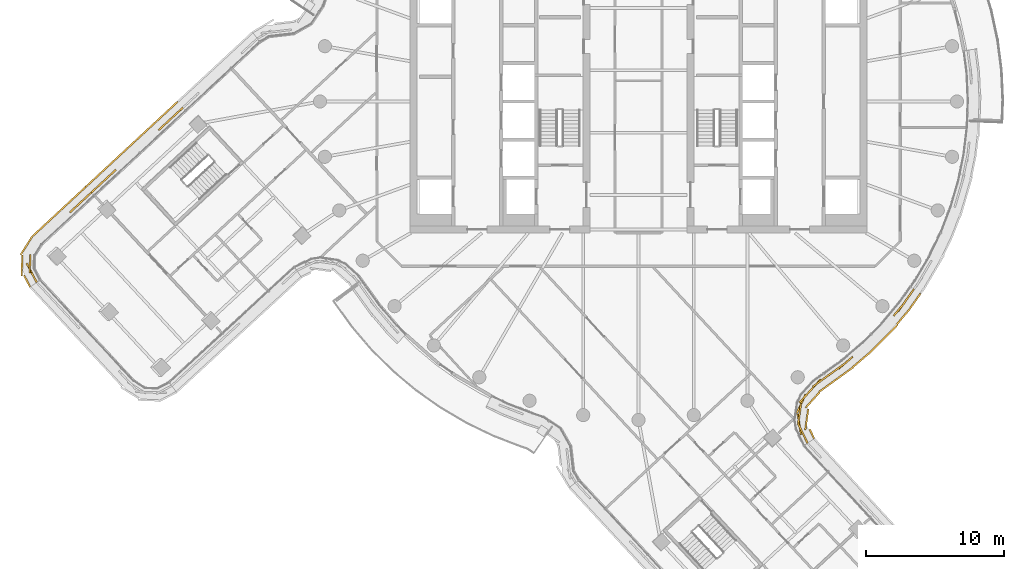
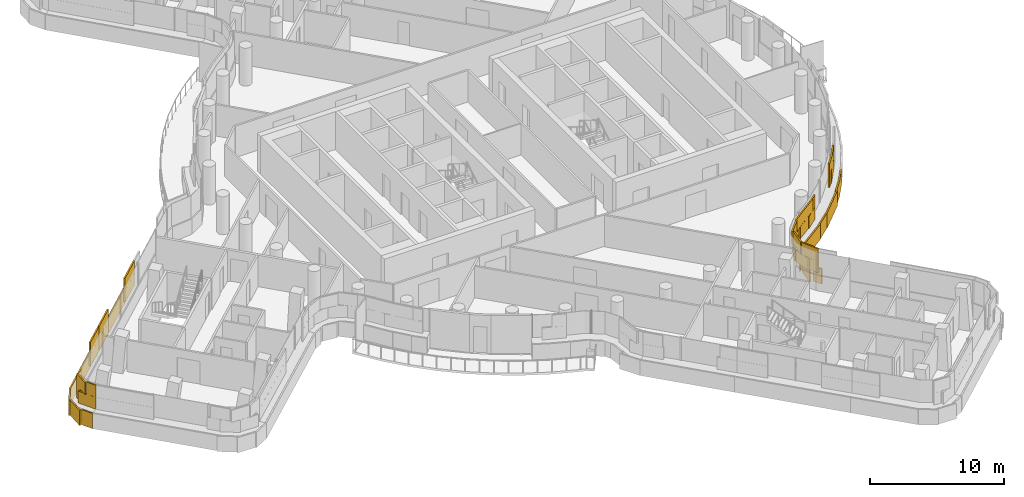
# One storey, part 29 of 34: 3 coverings.
"""IFC4 building model written with IfcOpenShell, lengths in metres."""

import ifcopenshell
import ifcopenshell.guid

model = None  # the IFC model being written
_history = None  # IfcOwnerHistory: only IFC2X3 demands one
_inside = {}  # id of a spatial element -> (the spatial element, [elements in it])
_under = {}  # id of a project, library or spatial element -> (it, [spatial elements below it])
_declared = {}  # id of a project -> (the project, [libraries it declares])
_typed = {}  # id of a type object -> (the type object, [elements of that type])
_made_of = {}  # id of a material, layer set ... -> (it, [elements and type objects made of it])


def new_model(schema):
    """Start an empty IFC model of exactly this schema.

    Asked for "IFC4X3", IfcOpenShell would pick the latest addendum, in which some entities
    have other attributes; the version numbers below select the first issue.
    IFC2X3 requires an IfcOwnerHistory on every rooted entity: one is made here for all.
    """
    global model, _history
    if schema == "IFC4X3":
        model = ifcopenshell.file(schema_version=(4, 3, 0, 0))
    else:
        model = ifcopenshell.file(schema=schema)
    _inside.clear()
    _under.clear()
    _declared.clear()
    _typed.clear()
    _made_of.clear()
    _history = None
    if model.schema == "IFC2X3":
        org = make("IfcOrganization", Name="unknown")
        user = make(
            "IfcPersonAndOrganization",
            ThePerson=make("IfcPerson", FamilyName="unknown"),
            TheOrganization=org,
        )
        app = make(
            "IfcApplication",
            ApplicationDeveloper=org,
            Version="unknown",
            ApplicationFullName="unknown",
            ApplicationIdentifier="unknown",
        )
        _history = make(
            "IfcOwnerHistory",
            OwningUser=user,
            OwningApplication=app,
            ChangeAction="ADDED",
            CreationDate=0,
        )
    return model


def make(cls, **values):
    """One entity of the class cls with the attributes given. An attribute that is None is left unset."""
    return model.create_entity(
        cls, **{name: value for name, value in values.items() if value is not None}
    )


def rooted(cls, **values):
    """An entity with a GlobalId (a new one), such as an element, a storey or a relation."""
    return make(cls, GlobalId=ifcopenshell.guid.new(), OwnerHistory=_history, **values)


def si_unit(unit_type, name, prefix=None):
    """IfcSIUnit, for example si_unit("LENGTHUNIT", "METRE", prefix="MILLI")."""
    return make("IfcSIUnit", UnitType=unit_type, Prefix=prefix, Name=name)


def assignment(units):
    """IfcUnitAssignment: the units of a project."""
    return None if units is None else make("IfcUnitAssignment", Units=units)


def point(xyz):
    """IfcCartesianPoint."""
    return None if xyz is None else make("IfcCartesianPoint", Coordinates=xyz)


def direction(xyz):
    """IfcDirection."""
    return None if xyz is None else make("IfcDirection", DirectionRatios=xyz)


def frame(location, z_axis=None, x_axis=None):
    """IfcAxis2Placement3D, a coordinate frame: its origin and axes. An axis left out is left unset."""
    return make(
        "IfcAxis2Placement3D",
        Location=point(location),
        Axis=direction(z_axis),
        RefDirection=direction(x_axis),
    )


def frame_2d(location, x_axis=None):
    """IfcAxis2Placement2D, a coordinate frame in the plane: its origin and x axis."""
    return make(
        "IfcAxis2Placement2D", Location=point(location), RefDirection=direction(x_axis)
    )


def origin():
    """The frame at (0, 0, 0) with its axes left unset."""
    return frame((0.0, 0.0, 0.0))


def origin_2d():
    """The frame at (0, 0) in the plane with its x axis left unset."""
    return frame_2d((0.0, 0.0))


def place(relative_to, where):
    """IfcLocalPlacement: puts the frame where relative to a parent placement (None: the world)."""
    return make(
        "IfcLocalPlacement", PlacementRelTo=relative_to, RelativePlacement=where
    )


def context(
    kind, dimensions, precision=None, world=None, true_north=None, identifier=None
):
    """IfcGeometricRepresentationContext, for example the 3D "Model" context."""
    return make(
        "IfcGeometricRepresentationContext",
        ContextIdentifier=identifier,
        ContextType=kind,
        CoordinateSpaceDimension=dimensions,
        Precision=precision,
        WorldCoordinateSystem=world,
        TrueNorth=true_north,
    )


def subcontext(parent, identifier, kind, view, scale=None):
    """IfcGeometricRepresentationSubContext, for example "Body" below "Model"."""
    return make(
        "IfcGeometricRepresentationSubContext",
        ContextIdentifier=identifier,
        ContextType=kind,
        ParentContext=parent,
        TargetScale=scale,
        TargetView=view,
    )


def project(units=None, contexts=None):
    """IfcProject with its units and contexts."""
    return rooted(
        "IfcProject",
        Name="project",
        RepresentationContexts=contexts,
        UnitsInContext=assignment(units),
    )


def spatial(cls, under=None, at=None, **own):
    """A site, building, storey or space (cls), placed at a placement, below another one or the project."""
    s = rooted(cls, ObjectPlacement=at, **own)
    if under is not None:
        _under.setdefault(under.id(), (under, []))[1].append(s)
    return s


def profile(cls, at=None, kind="AREA", **sizes):
    """A parametric profile (cls). Its sizes go by their IFC names, for example OverallWidth=200.0."""
    return make(cls, ProfileType=kind, Position=at, **sizes)


def rectangle(**sizes):
    """IfcRectangleProfileDef."""
    return profile("IfcRectangleProfileDef", **sizes)


def extrude(swept, where, along, depth):
    """IfcExtrudedAreaSolid: the profile swept, set in the frame where, extruded along a direction by depth."""
    return make(
        "IfcExtrudedAreaSolid",
        SweptArea=swept,
        Position=where,
        ExtrudedDirection=direction(along),
        Depth=depth,
    )


def shape(context_of_items, identifier, shape_type, items):
    """IfcShapeRepresentation: the items that make up one representation, for example the "Body"."""
    return make(
        "IfcShapeRepresentation",
        ContextOfItems=context_of_items,
        RepresentationIdentifier=identifier,
        RepresentationType=shape_type,
        Items=items,
    )


def material(Name=None, Category=None):
    """IfcMaterial."""
    return make("IfcMaterial", Name=Name, Category=Category)


def layer(
    of_material, thickness, ventilated=None, Name=None, Category=None, Priority=None
):
    """IfcMaterialLayer: one layer of a wall or slab, of a material (None: an air gap)."""
    return make(
        "IfcMaterialLayer",
        Material=of_material,
        LayerThickness=thickness,
        IsVentilated=ventilated,
        Name=Name,
        Category=Category,
        Priority=Priority,
    )


def layer_set(layers, Name=None):
    """IfcMaterialLayerSet."""
    return make("IfcMaterialLayerSet", MaterialLayers=layers, LayerSetName=Name)


def made_of(thing, what):
    """Note that an element or type object is made of a material, layer set ...; save() writes the relation."""
    if what is not None:
        _made_of.setdefault(what.id(), (what, []))[1].append(thing)
    return thing


def type_object(cls, material=None, **own):
    """A type object (cls), such as IfcWallType, which elements share."""
    return made_of(rooted(cls, **own), material)


def element(
    cls,
    number,
    at=None,
    inside=None,
    cuts=None,
    type_object=None,
    material=None,
    context=None,
    identifier="Body",
    shape_type=None,
    held_by="IfcProductDefinitionShape",
    body=None,
    shapes=None,
    **own,
):
    """One element of the class cls, such as IfcWall. Its Tag is "e" and its number.

    at: its placement. inside: the storey or other place that contains it. cuts: it is an
    opening in that element (IfcRelVoidsElement). A single representation is given by context,
    identifier, shape_type and body (its items); several are given by shapes. held_by: the class
    of the entity that holds the representations. save() writes the other relations.
    """
    e = rooted(cls, Tag="e%d" % number, ObjectPlacement=at, **own)
    if body is not None:
        shapes = [shape(context, identifier, shape_type, body)]
    if shapes is not None:
        e.Representation = make(held_by, Representations=shapes)
    if inside is not None:
        _inside.setdefault(inside.id(), (inside, []))[1].append(e)
    if cuts is not None:
        rooted(
            "IfcRelVoidsElement", RelatingBuildingElement=cuts, RelatedOpeningElement=e
        )
    if type_object is not None:
        _typed.setdefault(type_object.id(), (type_object, []))[1].append(e)
    return made_of(e, material)


def aggregate(whole, parts):
    """IfcRelAggregates: a whole, such as a stair, and the parts it consists of."""
    return rooted("IfcRelAggregates", RelatingObject=whole, RelatedObjects=parts)


def save(model, path):
    """Write the relations noted so far, then the file.

    IfcRelAggregates (storeys below a building ...), IfcRelContainedInSpatialStructure (elements
    in a storey), IfcRelDefinesByType, IfcRelAssociatesMaterial and IfcRelDeclares: one each for
    every whole, place, type object, material and project.
    """
    for whole, parts in _under.values():
        aggregate(whole, parts)
    for where, things in _inside.values():
        rooted(
            "IfcRelContainedInSpatialStructure",
            RelatedElements=things,
            RelatingStructure=where,
        )
    for kind, things in _typed.values():
        rooted("IfcRelDefinesByType", RelatedObjects=things, RelatingType=kind)
    for what, things in _made_of.values():
        rooted("IfcRelAssociatesMaterial", RelatedObjects=things, RelatingMaterial=what)
    for by, libraries in _declared.values():
        rooted("IfcRelDeclares", RelatingContext=by, RelatedDefinitions=libraries)
    model.write(path)


model = new_model("IFC4")

# Units and contexts
model_context = context("Model", 3, precision=1e-05, world=origin(), true_north=direction((0.0, 1.0)))
body_context = subcontext(model_context, "Body", "Model", "MODEL_VIEW")
ifc_project = project(units=[si_unit("LENGTHUNIT", "METRE"), si_unit("AREAUNIT", "SQUARE_METRE"), si_unit("VOLUMEUNIT", "CUBIC_METRE"), si_unit("PLANEANGLEUNIT", "RADIAN"), si_unit("MASSUNIT", "GRAM", prefix="KILO")], contexts=[model_context])

# Site, building, storey
site_placement = place(None, origin())
site = spatial("IfcSite", under=ifc_project, at=site_placement, CompositionType="ELEMENT")
building_placement = place(site_placement, origin())
building = spatial("IfcBuilding", under=site, at=building_placement, Name="Tamarind Cross Interchange Tower", CompositionType="ELEMENT")
storey_placement = place(building_placement, frame((0.0, 0.0, 189.699951171875)))
storey = spatial("IfcBuildingStorey", under=building, at=storey_placement, Name="L47", CompositionType="ELEMENT", Elevation=189.699951171875)

# Coverings
ifc_material = material(Name="Terracotta", Category="masonry")
ifc_layer = layer(ifc_material, 0.1201171875)
ifc_layer_set = layer_set([ifc_layer], Name="Terracotta")
covering_type = type_object("IfcCoveringType", Name="Terracotta baguette screen unit", PredefinedType="MOLDING", material=ifc_layer_set)
covering_1_placement = place(storey_placement, origin())
element("IfcCovering", 1, at=covering_1_placement, inside=storey, type_object=covering_type, Name="SCR-L47-02-00", PredefinedType="MOLDING", context=body_context, shape_type="SweptSolid", body=[
    extrude(rectangle(XDim=0.760009765625, YDim=0.1201171875, at=origin_2d()), frame((12.048828125, -24.341796875, 1.40380859375), z_axis=(0.0, 0.0, 1.0), x_axis=(-0.435685357845, 0.900099032862, 0.0)), (0.0, 0.0, 1.0), 1.092041015625),
    extrude(rectangle(XDim=1.52001953125, YDim=0.1201171875, at=origin_2d()), frame((11.62060546875, -23.309814453125, 1.40380859375), z_axis=(0.0, 0.0, 1.0), x_axis=(-0.15334845422, 0.988172177097, 0.0)), (0.0, 0.0, 1.0), 1.092041015625),
    extrude(rectangle(XDim=1.52001953125, YDim=0.1201171875, at=origin_2d()), frame((11.75048828125, -21.829345703125, 1.40380859375), z_axis=(0.0, 0.0, 1.0), x_axis=(0.425696394519, 0.904866056217, 0.0)), (0.0, 0.0, 1.0), 1.092041015625),
    extrude(rectangle(XDim=1.52001953125, YDim=0.1201171875, at=origin_2d()), frame((12.635009765625, -20.635986328125, 1.40380859375), z_axis=(0.0, 0.0, 1.0), x_axis=(0.671754704283, 0.740773661298, 0.0)), (0.0, 0.0, 1.0), 1.092041015625),
    extrude(rectangle(XDim=1.52001953125, YDim=0.1201171875, at=origin_2d()), frame((13.809814453125, -19.71142578125, 1.40380859375), z_axis=(0.0, 0.0, 1.0), x_axis=(0.811340475102, 0.584573890505, 0.0)), (0.0, 0.0, 1.0), 1.092041015625),
    extrude(rectangle(XDim=1.353271484375, YDim=0.1201171875, at=origin_2d()), frame((14.957763671875, -18.873291015625, 1.40380859375), z_axis=(0.0, 0.0, 1.0), x_axis=(0.760295606781, 0.64957723968, 0.0)), (0.0, 0.0, 1.0), 1.092041015625),
    extrude(rectangle(XDim=0.466796875, YDim=0.1201171875, at=origin_2d()), frame((18.579345703125, -15.29736328125, 1.40380859375), z_axis=(0.0, 0.0, 1.0), x_axis=(0.643009266048, 0.765858396687, 0.0)), (0.0, 0.0, 1.0), 1.092041015625),
    extrude(rectangle(XDim=1.52001953125, YDim=0.1201171875, at=origin_2d()), frame((19.194580078125, -14.537109375, 1.40380859375), z_axis=(0.0, 0.0, 1.0), x_axis=(0.577568978284, 0.816341886298, 0.0)), (0.0, 0.0, 1.0), 1.092041015625),
    extrude(rectangle(XDim=0.473388671875, YDim=0.1201171875, at=origin_2d()), frame((19.761474609375, -13.73583984375, 1.40380859375), z_axis=(0.0, 0.0, 1.0), x_axis=(0.577568978284, 0.816341886298, 0.0)), (0.0, 0.0, 1.0), 1.092041015625),
    extrude(rectangle(XDim=1.510009765625, YDim=0.1201171875, at=origin_2d()), frame((11.885498046875, -24.004150390625, 2.50390625), z_axis=(0.0, 0.0, 1.0), x_axis=(-0.435685357845, 0.900099032862, 0.0)), (0.0, 0.0, 1.0), 1.092041015625),
    extrude(rectangle(XDim=1.52001953125, YDim=0.1201171875, at=origin_2d()), frame((11.631103515625, -22.56787109375, 2.50390625), z_axis=(0.0, 0.0, 1.0), x_axis=(0.14240199293, 0.989808907017, 0.0)), (0.0, 0.0, 1.0), 1.092041015625),
    extrude(rectangle(XDim=1.52001953125, YDim=0.1201171875, at=origin_2d()), frame((12.131103515625, -21.191650390625, 2.50390625), z_axis=(0.0, 0.0, 1.0), x_axis=(0.671754704283, 0.740773661298, 0.0)), (0.0, 0.0, 1.0), 1.092041015625),
    extrude(rectangle(XDim=1.52001953125, YDim=0.1201171875, at=origin_2d()), frame((13.20166015625, -20.150146484375, 2.50390625), z_axis=(0.0, 0.0, 1.0), x_axis=(0.806902715209, 0.590684355801, 0.0)), (0.0, 0.0, 1.0), 1.092041015625),
    extrude(rectangle(XDim=1.52001953125, YDim=0.1201171875, at=origin_2d()), frame((14.418212890625, -19.27294921875, 2.50390625), z_axis=(0.0, 0.0, 1.0), x_axis=(0.811340475102, 0.584573890505, 0.0)), (0.0, 0.0, 1.0), 1.092041015625),
    extrude(rectangle(XDim=0.603271484375, YDim=0.1201171875, at=origin_2d()), frame((15.242919921875, -18.629638671875, 2.50390625), z_axis=(0.0, 0.0, 1.0), x_axis=(0.760295606781, 0.64957723968, 0.0)), (0.0, 0.0, 1.0), 1.092041015625),
    extrude(rectangle(XDim=1.216796875, YDim=0.1201171875, at=origin_2d()), frame((18.820556640625, -15.010009765625, 2.50390625), z_axis=(0.0, 0.0, 1.0), x_axis=(0.643009266048, 0.765858396687, 0.0)), (0.0, 0.0, 1.0), 1.092041015625),
    extrude(rectangle(XDim=1.223388671875, YDim=0.1201171875, at=origin_2d()), frame((19.544921875, -14.0419921875, 2.50390625), z_axis=(0.0, 0.0, 1.0), x_axis=(0.577568978284, 0.816341886298, 0.0)), (0.0, 0.0, 1.0), 1.092041015625),
    extrude(rectangle(XDim=0.760009765625, YDim=0.1201171875, at=origin_2d()), frame((12.5263671875, -24.0107421875, 0.00390625), z_axis=(0.0, 0.0, 1.0), x_axis=(-0.435685357845, 0.900099032862, 0.0)), (0.0, 0.0, 1.0), 1.39208984375),
    extrude(rectangle(XDim=1.52001953125, YDim=0.1201171875, at=origin_2d()), frame((12.153564453125, -22.96826171875, 0.00390625), z_axis=(0.0, 0.0, 1.0), x_axis=(0.14240199293, 0.989808907017, 0.0)), (0.0, 0.0, 1.0), 1.39208984375),
    extrude(rectangle(XDim=1.52001953125, YDim=0.1201171875, at=origin_2d()), frame((12.57080078125, -21.5615234375, 0.00390625), z_axis=(0.0, 0.0, 1.0), x_axis=(0.671754704283, 0.740773661298, 0.0)), (0.0, 0.0, 1.0), 1.39208984375),
    extrude(rectangle(XDim=1.52001953125, YDim=0.1201171875, at=origin_2d()), frame((13.65234375, -20.5322265625, 0.00390625), z_axis=(0.0, 0.0, 1.0), x_axis=(0.811340475102, 0.584573890505, 0.0)), (0.0, 0.0, 1.0), 1.39208984375),
    extrude(rectangle(XDim=1.52001953125, YDim=0.1201171875, at=origin_2d()), frame((14.869140625, -19.655517578125, 0.00390625), z_axis=(0.0, 0.0, 1.0), x_axis=(0.811340475102, 0.584573890505, 0.0)), (0.0, 0.0, 1.0), 1.39208984375),
    extrude(rectangle(XDim=1.52001953125, YDim=0.1201171875, at=origin_2d()), frame((16.032470703125, -18.7099609375, 0.00390625), z_axis=(0.0, 0.0, 1.0), x_axis=(0.760295606781, 0.64957723968, 0.0)), (0.0, 0.0, 1.0), 1.39208984375),
    extrude(rectangle(XDim=1.52001953125, YDim=0.1201171875, at=origin_2d()), frame((17.143798828125, -17.704345703125, 0.00390625), z_axis=(0.0, 0.0, 1.0), x_axis=(0.704057148523, 0.710143317658, 0.0)), (0.0, 0.0, 1.0), 1.39208984375),
    extrude(rectangle(XDim=1.52001953125, YDim=0.1201171875, at=origin_2d()), frame((18.199951171875, -16.63916015625, 0.00390625), z_axis=(0.0, 0.0, 1.0), x_axis=(0.704057148523, 0.710143317658, 0.0)), (0.0, 0.0, 1.0), 1.39208984375),
    extrude(rectangle(XDim=1.52001953125, YDim=0.1201171875, at=origin_2d()), frame((19.165771484375, -15.49169921875, 0.00390625), z_axis=(0.0, 0.0, 1.0), x_axis=(0.643009266048, 0.765858396687, 0.0)), (0.0, 0.0, 1.0), 1.39208984375),
    extrude(rectangle(XDim=1.28125, YDim=0.1201171875, at=origin_2d()), frame((19.999755859375, -14.392822265625, 0.00390625), z_axis=(0.0, 0.0, 1.0), x_axis=(0.577568978284, 0.816341886298, 0.0)), (0.0, 0.0, 1.0), 1.39208984375),
])
covering_2_placement = place(storey_placement, origin())
element("IfcCovering", 2, at=covering_2_placement, inside=storey, type_object=covering_type, Name="SCR-L47-07-01", PredefinedType="MOLDING", context=body_context, shape_type="SweptSolid", body=[
    extrude(rectangle(XDim=0.9267578125, YDim=0.1201171875, at=origin_2d()), frame((-33.2412109375, -0.75439453125, 1.40380859375), z_axis=(0.0, 0.0, 1.0), x_axis=(-0.73329332084, -0.679912424958, 0.0)), (0.0, 0.0, 1.0), 1.092041015625),
    extrude(rectangle(XDim=1.497802734375, YDim=0.1201171875, at=origin_2d()), frame((-34.122802734375, -1.57177734375, 1.40380859375), z_axis=(0.0, 0.0, 1.0), x_axis=(-0.73329332084, -0.679912424958, 0.0)), (0.0, 0.0, 1.0), 1.092041015625),
    extrude(rectangle(XDim=0.322265625, YDim=0.1201171875, at=origin_2d()), frame((-37.86279296875, -5.039306640625, 1.40380859375), z_axis=(0.0, 0.0, 1.0), x_axis=(-0.73329332084, -0.679912424958, 0.0)), (0.0, 0.0, 1.0), 1.092041015625),
    extrude(rectangle(XDim=1.52001953125, YDim=0.1201171875, at=origin_2d()), frame((-38.527099609375, -5.6552734375, 1.40380859375), z_axis=(0.0, 0.0, 1.0), x_axis=(-0.73329332084, -0.679912424958, 0.0)), (0.0, 0.0, 1.0), 1.092041015625),
    extrude(rectangle(XDim=0.602294921875, YDim=0.1201171875, at=origin_2d()), frame((-39.294189453125, -6.36669921875, 1.40380859375), z_axis=(0.0, 0.0, 1.0), x_axis=(-0.73329332084, -0.679912424958, 0.0)), (0.0, 0.0, 1.0), 1.092041015625),
    extrude(rectangle(XDim=0.1767578125, YDim=0.1201171875, at=origin_2d()), frame((-32.96630859375, -0.499267578125, 2.50390625), z_axis=(0.0, 0.0, 1.0), x_axis=(-0.73329332084, -0.679912424958, 0.0)), (0.0, 0.0, 1.0), 1.092041015625),
    extrude(rectangle(XDim=1.52001953125, YDim=0.1201171875, at=origin_2d()), frame((-33.577392578125, -1.06591796875, 2.50390625), z_axis=(0.0, 0.0, 1.0), x_axis=(-0.73329332084, -0.679912424958, 0.0)), (0.0, 0.0, 1.0), 1.092041015625),
    extrude(rectangle(XDim=0.747802734375, YDim=0.1201171875, at=origin_2d()), frame((-34.39794921875, -1.82666015625, 2.50390625), z_axis=(0.0, 0.0, 1.0), x_axis=(-0.73329332084, -0.679912424958, 0.0)), (0.0, 0.0, 1.0), 1.092041015625),
    extrude(rectangle(XDim=1.072265625, YDim=0.1201171875, at=origin_2d()), frame((-38.1376953125, -5.294189453125, 2.50390625), z_axis=(0.0, 0.0, 1.0), x_axis=(-0.73329332084, -0.679912424958, 0.0)), (0.0, 0.0, 1.0), 1.092041015625),
    extrude(rectangle(XDim=1.352294921875, YDim=0.1201171875, at=origin_2d()), frame((-39.019287109375, -6.111572265625, 2.50390625), z_axis=(0.0, 0.0, 1.0), x_axis=(-0.73329332084, -0.679912424958, 0.0)), (0.0, 0.0, 1.0), 1.092041015625),
    extrude(rectangle(XDim=0.88037109375, YDim=0.1201171875, at=origin_2d()), frame((-33.607421875, -0.31103515625, 0.00390625), z_axis=(0.0, 0.0, 1.0), x_axis=(-0.73329332084, -0.679912424958, 0.0)), (0.0, 0.0, 1.0), 1.39208984375),
    extrude(rectangle(XDim=1.52001953125, YDim=0.1201171875, at=origin_2d()), frame((-34.472900390625, -1.113525390625, 0.00390625), z_axis=(0.0, 0.0, 1.0), x_axis=(-0.73329332084, -0.679912424958, 0.0)), (0.0, 0.0, 1.0), 1.39208984375),
    extrude(rectangle(XDim=1.52001953125, YDim=0.1201171875, at=origin_2d()), frame((-35.57275390625, -2.13330078125, 0.00390625), z_axis=(0.0, 0.0, 1.0), x_axis=(-0.73329332084, -0.679912424958, 0.0)), (0.0, 0.0, 1.0), 1.39208984375),
    extrude(rectangle(XDim=1.52001953125, YDim=0.1201171875, at=origin_2d()), frame((-36.6728515625, -3.153076171875, 0.00390625), z_axis=(0.0, 0.0, 1.0), x_axis=(-0.73329332084, -0.679912424958, 0.0)), (0.0, 0.0, 1.0), 1.39208984375),
    extrude(rectangle(XDim=1.52001953125, YDim=0.1201171875, at=origin_2d()), frame((-37.772705078125, -4.173095703125, 0.00390625), z_axis=(0.0, 0.0, 1.0), x_axis=(-0.73329332084, -0.679912424958, 0.0)), (0.0, 0.0, 1.0), 1.39208984375),
    extrude(rectangle(XDim=1.52001953125, YDim=0.1201171875, at=origin_2d()), frame((-38.87255859375, -5.19287109375, 0.00390625), z_axis=(0.0, 0.0, 1.0), x_axis=(-0.73329332084, -0.679912424958, 0.0)), (0.0, 0.0, 1.0), 1.39208984375),
    extrude(rectangle(XDim=0.705810546875, YDim=0.1201171875, at=origin_2d()), frame((-39.674072265625, -5.93603515625, 0.00390625), z_axis=(0.0, 0.0, 1.0), x_axis=(-0.73329332084, -0.679912424958, 0.0)), (0.0, 0.0, 1.0), 1.39208984375),
])
covering_3_placement = place(storey_placement, origin())
element("IfcCovering", 3, at=covering_3_placement, inside=storey, type_object=covering_type, Name="SCR-L47-07-02", PredefinedType="MOLDING", context=body_context, shape_type="SweptSolid", body=[
    extrude(rectangle(XDim=0.917724609375, YDim=0.1201171875, at=origin_2d()), frame((-39.84423828125, -6.87646484375, 1.40380859375), z_axis=(0.0, 0.0, 1.0), x_axis=(-0.73329332084, -0.679912424958, 0.0)), (0.0, 0.0, 1.0), 1.092041015625),
    extrude(rectangle(XDim=1.2333984375, YDim=0.1201171875, at=origin_2d()), frame((-40.62548828125, -7.60107421875, 1.40380859375), z_axis=(0.0, 0.0, 1.0), x_axis=(-0.73329332084, -0.679912424958, 0.0)), (0.0, 0.0, 1.0), 1.092041015625),
    extrude(rectangle(XDim=0.586669921875, YDim=0.1201171875, at=origin_2d()), frame((-43.93310546875, -11.3466796875, 1.40380859375), z_axis=(0.0, 0.0, 1.0), x_axis=(-0.037745993464, -0.999287366065, 0.0)), (0.0, 0.0, 1.0), 1.092041015625),
    extrude(rectangle(XDim=1.52001953125, YDim=0.1201171875, at=origin_2d()), frame((-43.837646484375, -12.353515625, 1.40380859375), z_axis=(0.0, 0.0, 1.0), x_axis=(0.466954693802, -0.884281241425, 0.0)), (0.0, 0.0, 1.0), 1.092041015625),
    extrude(rectangle(XDim=0.064453125, YDim=0.1201171875, at=origin_2d()), frame((-43.474609375, -13.040771484375, 1.40380859375), z_axis=(0.0, 0.0, 1.0), x_axis=(0.466954693802, -0.884281241425, 0.0)), (0.0, 0.0, 1.0), 1.092041015625),
    extrude(rectangle(XDim=0.167724609375, YDim=0.1201171875, at=origin_2d()), frame((-39.5693359375, -6.62158203125, 2.50390625), z_axis=(0.0, 0.0, 1.0), x_axis=(-0.73329332084, -0.679912424958, 0.0)), (0.0, 0.0, 1.0), 1.092041015625),
    extrude(rectangle(XDim=1.52001953125, YDim=0.1201171875, at=origin_2d()), frame((-40.177001953125, -7.18505859375, 2.50390625), z_axis=(0.0, 0.0, 1.0), x_axis=(-0.73329332084, -0.679912424958, 0.0)), (0.0, 0.0, 1.0), 1.092041015625),
    extrude(rectangle(XDim=0.4833984375, YDim=0.1201171875, at=origin_2d()), frame((-40.900634765625, -7.85595703125, 2.50390625), z_axis=(0.0, 0.0, 1.0), x_axis=(-0.73329332084, -0.679912424958, 0.0)), (0.0, 0.0, 1.0), 1.092041015625),
    extrude(rectangle(XDim=1.336669921875, YDim=0.1201171875, at=origin_2d()), frame((-43.947265625, -11.721435546875, 2.50390625), z_axis=(0.0, 0.0, 1.0), x_axis=(-0.037745993464, -0.999287366065, 0.0)), (0.0, 0.0, 1.0), 1.092041015625),
    extrude(rectangle(XDim=0.814453125, YDim=0.1201171875, at=origin_2d()), frame((-43.64990234375, -12.709228515625, 2.50390625), z_axis=(0.0, 0.0, 1.0), x_axis=(0.466954693802, -0.884281241425, 0.0)), (0.0, 0.0, 1.0), 1.092041015625),
    extrude(rectangle(XDim=0.814208984375, YDim=0.1201171875, at=origin_2d()), frame((-40.2314453125, -6.45263671875, 0.00390625), z_axis=(0.0, 0.0, 1.0), x_axis=(-0.73329332084, -0.679912424958, 0.0)), (0.0, 0.0, 1.0), 1.39208984375),
    extrude(rectangle(XDim=1.52001953125, YDim=0.1201171875, at=origin_2d()), frame((-41.072509765625, -7.232666015625, 0.00390625), z_axis=(0.0, 0.0, 1.0), x_axis=(-0.73329332084, -0.679912424958, 0.0)), (0.0, 0.0, 1.0), 1.39208984375),
    extrude(rectangle(XDim=1.52001953125, YDim=0.1201171875, at=origin_2d()), frame((-42.17236328125, -8.25244140625, 0.00390625), z_axis=(0.0, 0.0, 1.0), x_axis=(-0.73329332084, -0.679912424958, 0.0)), (0.0, 0.0, 1.0), 1.39208984375),
    extrude(rectangle(XDim=1.52001953125, YDim=0.1201171875, at=origin_2d()), frame((-43.2724609375, -9.2724609375, 0.00390625), z_axis=(0.0, 0.0, 1.0), x_axis=(-0.73329332084, -0.679912424958, 0.0)), (0.0, 0.0, 1.0), 1.39208984375),
    extrude(rectangle(XDim=1.52001953125, YDim=0.1201171875, at=origin_2d()), frame((-44.214599609375, -10.423095703125, 0.00390625), z_axis=(0.0, 0.0, 1.0), x_axis=(-0.532332672263, -0.846535247961, 0.0)), (0.0, 0.0, 1.0), 1.39208984375),
    extrude(rectangle(XDim=1.52001953125, YDim=0.1201171875, at=origin_2d()), frame((-44.5263671875, -11.84326171875, 0.00390625), z_axis=(0.0, 0.0, 1.0), x_axis=(-0.037745993464, -0.999287366065, 0.0)), (0.0, 0.0, 1.0), 1.39208984375),
    extrude(rectangle(XDim=0.967529296875, YDim=0.1201171875, at=origin_2d()), frame((-44.16015625, -12.97216796875, 0.00390625), z_axis=(0.0, 0.0, 1.0), x_axis=(0.466954693802, -0.884281241425, 0.0)), (0.0, 0.0, 1.0), 1.39208984375),
])

save(model, "model.ifc")
